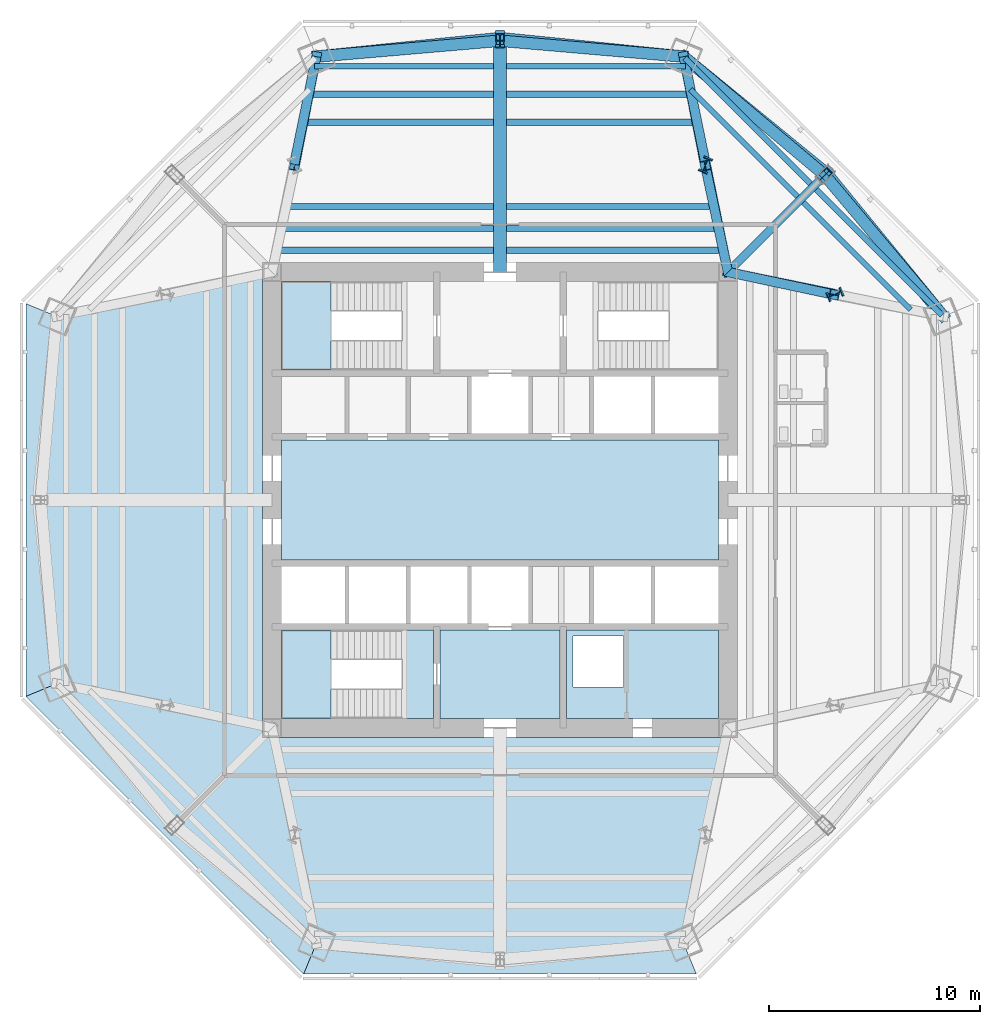
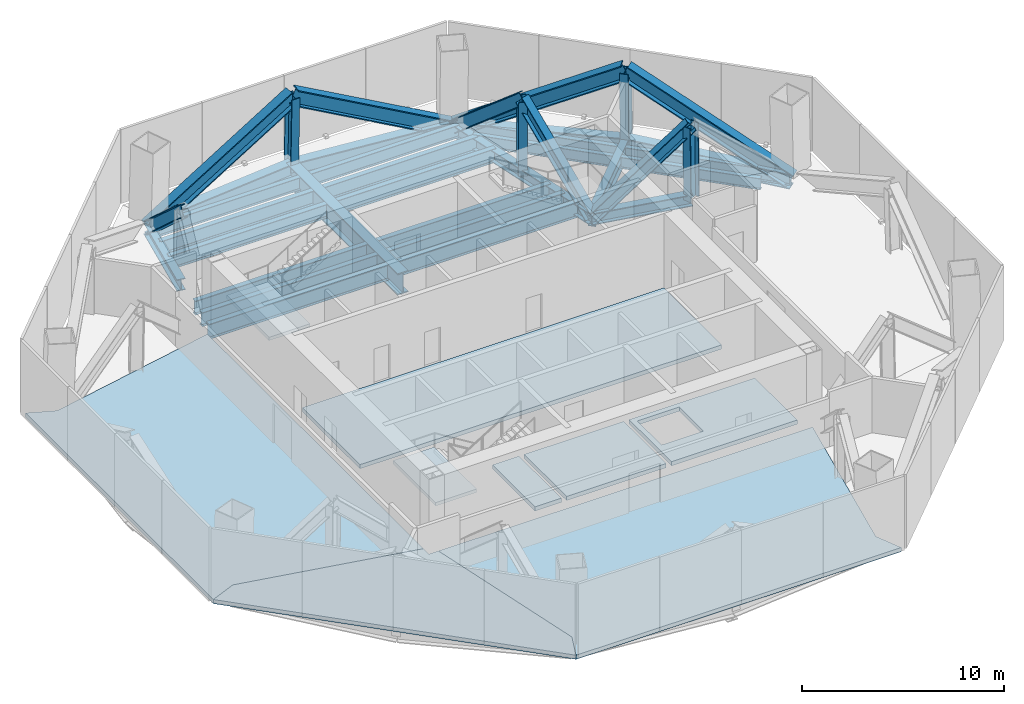
# One storey, part 3 of 9: 20 members, 18 beams, 9 slabs, 2 elements without a shape of their own.
"""IFC4 building model written with IfcOpenShell, lengths in metres."""

from ifc_helpers import new_model, si_unit, direction, frame, origin, origin_2d, place, context, subcontext, project, spatial, polyline, i_section, outline, extrude, source, transform, mapped, material, layer, layer_set, material_profile, profile_set, type_object, type_shapes, element, aggregate, save


model = new_model("IFC4")

# Units and contexts
model_context = context("Model", 3, precision=1e-05, world=origin(), true_north=direction((0.0, 1.0)))
body_context = subcontext(model_context, "Body", "Model", "MODEL_VIEW")
ifc_project = project(units=[si_unit("LENGTHUNIT", "METRE"), si_unit("AREAUNIT", "SQUARE_METRE"), si_unit("VOLUMEUNIT", "CUBIC_METRE"), si_unit("PLANEANGLEUNIT", "RADIAN"), si_unit("MASSUNIT", "GRAM", prefix="KILO")], contexts=[model_context])

# Site, building, storey
site_placement = place(None, origin())
site = spatial("IfcSite", under=ifc_project, at=site_placement, CompositionType="ELEMENT")
building_placement = place(site_placement, origin())
building = spatial("IfcBuilding", under=site, at=building_placement, Name="Mashrafa Tower", CompositionType="ELEMENT")
storey_placement = place(building_placement, frame((0.0, 0.0, 189.0)))
storey = spatial("IfcBuildingStorey", under=building, at=storey_placement, Name="L43", CompositionType="ELEMENT", Elevation=189.0)

# Beams
ifc_material_1 = material(Name="Steel ASTM A572 Gr 50", Category="steel")
ifc_material_profile_1 = material_profile(ifc_material_1, i_section(OverallWidth=0.60009765625, OverallDepth=1.300048828125, WebThickness=0.028076171875, FlangeThickness=0.06494140625, at=origin_2d()), Name="H1300X600X28X65")
ifc_profile_set_1 = profile_set([ifc_material_profile_1], Name="Steel ASTM A572 Gr 50")
beam_type_1 = type_object("IfcBeamType", Name="Beam H1300X600X28X65", PredefinedType="BEAM", material=ifc_profile_set_1)
beam_1_placement = place(storey_placement, frame((0.0, 10.800048828125, -0.89990234375), z_axis=(0.0, 1.0, 0.0), x_axis=(-1.0, 0.0, 0.0)))
element("IfcBeam", 1, at=beam_1_placement, inside=storey, type_object=beam_type_1, Name="Radial girder L43 069", PredefinedType="BEAM", context=body_context, shape_type="SweptSolid", body=[
    extrude(i_section(OverallWidth=0.60009765625, OverallDepth=1.300048828125, WebThickness=0.028076171875, FlangeThickness=0.06494140625, at=origin_2d()), origin(), (0.0, 0.0, 1.0), 11.0751953125),
])
ifc_material_2 = material(Name="Steel ASTM A992", Category="steel")
ifc_material_profile_2 = material_profile(ifc_material_2, i_section(OverallWidth=0.25390625, OverallDepth=0.683349609375, WebThickness=0.012451171875, FlangeThickness=0.01904296875, FilletRadius=0.01513671875, at=origin_2d()), Name="W27X94")
ifc_profile_set_2 = profile_set([ifc_material_profile_2], Name="Steel ASTM A992")
beam_type_2 = type_object("IfcBeamType", Name="Beam W27X94", PredefinedType="BEAM", material=ifc_profile_set_2)
for number, where, z_axis, x_axis, name in (
    (2, (9.013916015625, 19.461181640625, -0.591552734375), (0.707106781187, -0.707106781187, 0.0), (0.707106781187, 0.707106781187, 0.0), "Floor beam L43 041"),
    (3, (14.37939453125, 14.095703125, -0.591552734375), (0.707106781187, -0.707106781187, 0.0), (0.707106781187, 0.707106781187, 0.0), "Floor beam L43 054"),
):
    element("IfcBeam", number, at=place(storey_placement, frame(where, z_axis=z_axis, x_axis=x_axis)), inside=storey, type_object=beam_type_2, Name=name, PredefinedType="BEAM", context=body_context, shape_type="SweptSolid", body=[
        extrude(i_section(OverallWidth=0.25390625, OverallDepth=0.683349609375, WebThickness=0.012451171875, FlangeThickness=0.01904296875, FilletRadius=0.01513671875, at=origin_2d()), origin(), (0.0, 0.0, 1.0), 7.186767578125),
    ])
ifc_material_3 = material(Name="Steel ASTM A992", Category="steel")
ifc_material_profile_3 = material_profile(ifc_material_3, i_section(OverallWidth=0.2666015625, OverallDepth=0.761962890625, WebThickness=0.014404296875, FlangeThickness=0.021484375, FilletRadius=0.0166015625, at=origin_2d()), Name="W30X116")
ifc_profile_set_3 = profile_set([ifc_material_profile_3], Name="Steel ASTM A992")
beam_type_3 = type_object("IfcBeamType", Name="Beam W30X116", PredefinedType="BEAM", material=ifc_profile_set_3)
for number, where, z_axis, x_axis, name in (
    (4, (-8.78955078125, 20.5498046875, -0.631103515625), (1.0, 0.0, 0.0), (0.0, 1.0, 0.0), "Floor beam L43 025"),
    (5, (0.300048828125, 20.5498046875, -0.631103515625), (1.0, 0.0, 0.0), (0.0, 1.0, 0.0), "Floor beam L43 038"),
):
    element("IfcBeam", number, at=place(storey_placement, frame(where, z_axis=z_axis, x_axis=x_axis)), inside=storey, type_object=beam_type_3, Name=name, PredefinedType="BEAM", context=body_context, shape_type="SweptSolid", body=[
        extrude(i_section(OverallWidth=0.2666015625, OverallDepth=0.761962890625, WebThickness=0.014404296875, FlangeThickness=0.021484375, FilletRadius=0.0166015625, at=origin_2d()), origin(), (0.0, 0.0, 1.0), 8.489501953125),
    ])
for number, where, z_axis, x_axis, name in (
    (6, (8.759521484375, 20.9462890625, -0.631103515625), (0.707092277771, -0.707121284305, 0.0), (0.707121284305, 0.707092277771, 0.0), "Floor beam L43 039"),
    (7, (14.99462890625, 14.7109375, -0.631103515625), (0.707121284305, -0.707092277771, 0.0), (0.707092277771, 0.707121284305, 0.0), "Floor beam L43 056"),
):
    element("IfcBeam", number, at=place(storey_placement, frame(where, z_axis=z_axis, x_axis=x_axis)), inside=storey, type_object=beam_type_3, Name=name, PredefinedType="BEAM", context=body_context, shape_type="SweptSolid", body=[
        extrude(i_section(OverallWidth=0.2666015625, OverallDepth=0.761962890625, WebThickness=0.014404296875, FlangeThickness=0.021484375, FilletRadius=0.0166015625, at=origin_2d()), origin(), (0.0, 0.0, 1.0), 8.416748046875),
    ])
ifc_material_4 = material(Name="Steel ASTM A992", Category="steel")
ifc_material_profile_4 = material_profile(ifc_material_4, i_section(OverallWidth=0.2919921875, OverallDepth=0.8408203125, WebThickness=0.0146484375, FlangeThickness=0.021728515625, FilletRadius=0.017333984375, at=origin_2d()), Name="W33X130")
ifc_profile_set_4 = profile_set([ifc_material_profile_4], Name="Steel ASTM A992")
beam_type_4 = type_object("IfcBeamType", Name="Beam W33X130", PredefinedType="BEAM", material=ifc_profile_set_4)
beam_2_placement = place(storey_placement, frame((-9.336181640625, 17.89892578125, -0.67041015625), z_axis=(1.0, 0.0, 0.0), x_axis=(0.0, 1.0, 0.0)))
element("IfcBeam", 8, at=beam_2_placement, inside=storey, type_object=beam_type_4, Name="Floor beam L43 022", PredefinedType="BEAM", context=body_context, shape_type="SweptSolid", body=[
    extrude(i_section(OverallWidth=0.2919921875, OverallDepth=0.8408203125, WebThickness=0.0146484375, FlangeThickness=0.021728515625, FilletRadius=0.017333984375, at=origin_2d()), origin(), (0.0, 0.0, 1.0), 9.0361328125),
])
beam_3_placement = place(storey_placement, frame((-9.062744140625, 19.224365234375, -0.67041015625), z_axis=(1.0, 0.0, 0.0), x_axis=(0.0, 1.0, 0.0)))
element("IfcBeam", 9, at=beam_3_placement, inside=storey, type_object=beam_type_4, Name="Floor beam L43 023", PredefinedType="BEAM", context=body_context, shape_type="SweptSolid", body=[
    extrude(i_section(OverallWidth=0.2919921875, OverallDepth=0.8408203125, WebThickness=0.0146484375, FlangeThickness=0.021728515625, FilletRadius=0.017333984375, at=origin_2d()), origin(), (0.0, 0.0, 1.0), 8.7626953125),
])
beam_4_placement = place(storey_placement, frame((0.300048828125, 17.89892578125, -0.67041015625), z_axis=(1.0, 0.0, 0.0), x_axis=(0.0, 1.0, 0.0)))
element("IfcBeam", 10, at=beam_4_placement, inside=storey, type_object=beam_type_4, Name="Floor beam L43 036", PredefinedType="BEAM", context=body_context, shape_type="SweptSolid", body=[
    extrude(i_section(OverallWidth=0.2919921875, OverallDepth=0.8408203125, WebThickness=0.0146484375, FlangeThickness=0.021728515625, FilletRadius=0.017333984375, at=origin_2d()), origin(), (0.0, 0.0, 1.0), 9.0361328125),
])
beam_5_placement = place(storey_placement, frame((0.300048828125, 19.224365234375, -0.67041015625), z_axis=(1.0, 0.0, 0.0), x_axis=(0.0, 1.0, 0.0)))
element("IfcBeam", 11, at=beam_5_placement, inside=storey, type_object=beam_type_4, Name="Floor beam L43 037", PredefinedType="BEAM", context=body_context, shape_type="SweptSolid", body=[
    extrude(i_section(OverallWidth=0.2919921875, OverallDepth=0.8408203125, WebThickness=0.0146484375, FlangeThickness=0.021728515625, FilletRadius=0.017333984375, at=origin_2d()), origin(), (0.0, 0.0, 1.0), 8.7626953125),
])
ifc_material_5 = material(Name="Steel ASTM A992", Category="steel")
ifc_material_profile_5 = material_profile(ifc_material_5, i_section(OverallWidth=0.2919921875, OverallDepth=0.845703125, WebThickness=0.015380859375, FlangeThickness=0.0244140625, FilletRadius=0.017333984375, at=origin_2d()), Name="W33X141")
ifc_profile_set_5 = profile_set([ifc_material_profile_5], Name="Steel ASTM A992")
beam_type_5 = type_object("IfcBeamType", Name="Beam W33X141", PredefinedType="BEAM", material=ifc_profile_set_5)
beam_6_placement = place(storey_placement, frame((-10.3740234375, 12.865966796875, -0.6728515625), z_axis=(1.0, 0.0, 0.0), x_axis=(0.0, 1.0, 0.0)))
element("IfcBeam", 12, at=beam_6_placement, inside=storey, type_object=beam_type_5, Name="Floor beam L43 020", PredefinedType="BEAM", context=body_context, shape_type="SweptSolid", body=[
    extrude(i_section(OverallWidth=0.2919921875, OverallDepth=0.845703125, WebThickness=0.015380859375, FlangeThickness=0.0244140625, FilletRadius=0.017333984375, at=origin_2d()), origin(), (0.0, 0.0, 1.0), 10.073974609375),
])
beam_7_placement = place(storey_placement, frame((-10.160888671875, 13.89892578125, -0.6728515625), z_axis=(1.0, 0.0, 0.0), x_axis=(0.0, 1.0, 0.0)))
element("IfcBeam", 13, at=beam_7_placement, inside=storey, type_object=beam_type_5, Name="Floor beam L43 021", PredefinedType="BEAM", context=body_context, shape_type="SweptSolid", body=[
    extrude(i_section(OverallWidth=0.2919921875, OverallDepth=0.845703125, WebThickness=0.015380859375, FlangeThickness=0.0244140625, FilletRadius=0.017333984375, at=origin_2d()), origin(), (0.0, 0.0, 1.0), 9.86083984375),
])
beam_8_placement = place(storey_placement, frame((0.300048828125, 12.865966796875, -0.6728515625), z_axis=(1.0, 0.0, 0.0), x_axis=(0.0, 1.0, 0.0)))
element("IfcBeam", 14, at=beam_8_placement, inside=storey, type_object=beam_type_5, Name="Floor beam L43 034", PredefinedType="BEAM", context=body_context, shape_type="SweptSolid", body=[
    extrude(i_section(OverallWidth=0.2919921875, OverallDepth=0.845703125, WebThickness=0.015380859375, FlangeThickness=0.0244140625, FilletRadius=0.017333984375, at=origin_2d()), origin(), (0.0, 0.0, 1.0), 10.073974609375),
])
beam_9_placement = place(storey_placement, frame((0.300048828125, 13.89892578125, -0.6728515625), z_axis=(1.0, 0.0, 0.0), x_axis=(0.0, 1.0, 0.0)))
element("IfcBeam", 15, at=beam_9_placement, inside=storey, type_object=beam_type_5, Name="Floor beam L43 035", PredefinedType="BEAM", context=body_context, shape_type="SweptSolid", body=[
    extrude(i_section(OverallWidth=0.2919921875, OverallDepth=0.845703125, WebThickness=0.015380859375, FlangeThickness=0.0244140625, FilletRadius=0.017333984375, at=origin_2d()), origin(), (0.0, 0.0, 1.0), 9.86083984375),
])
ifc_material_6 = material(Name="Steel ASTM A992", Category="steel")
ifc_material_profile_6 = material_profile(ifc_material_6, i_section(OverallWidth=0.3046875, OverallDepth=0.911865234375, WebThickness=0.015869140625, FlangeThickness=0.02392578125, FilletRadius=0.01904296875, at=origin_2d()), Name="W36X150")
ifc_profile_set_6 = profile_set([ifc_material_profile_6], Name="Steel ASTM A992")
beam_type_6 = type_object("IfcBeamType", Name="Beam W36X150", PredefinedType="BEAM", material=ifc_profile_set_6)
for number, where, z_axis, x_axis, name in (
    (16, (-10.5869140625, 11.8330078125, -0.705810546875), (1.0, 0.0, 0.0), (0.0, 1.0, 0.0), "Floor beam L43 019"),
    (17, (0.300048828125, 11.8330078125, -0.705810546875), (1.0, 0.0, 0.0), (0.0, 1.0, 0.0), "Floor beam L43 033"),
):
    element("IfcBeam", number, at=place(storey_placement, frame(where, z_axis=z_axis, x_axis=x_axis)), inside=storey, type_object=beam_type_6, Name=name, PredefinedType="BEAM", context=body_context, shape_type="SweptSolid", body=[
        extrude(i_section(OverallWidth=0.3046875, OverallDepth=0.911865234375, WebThickness=0.015869140625, FlangeThickness=0.02392578125, FilletRadius=0.01904296875, at=origin_2d()), origin(), (0.0, 0.0, 1.0), 10.286865234375),
    ])
ifc_material_7 = material(Name="Steel ASTM A992", Category="steel")
ifc_material_profile_7 = material_profile(ifc_material_7, i_section(OverallWidth=0.4013671875, OverallDepth=1.010986328125, WebThickness=0.023681640625, FlangeThickness=0.0419921875, FilletRadius=0.02001953125, at=origin_2d()), Name="W40X297")
ifc_profile_set_7 = profile_set([ifc_material_profile_7], Name="Steel ASTM A992")
beam_type_7 = type_object("IfcBeamType", Name="Beam W40X297", PredefinedType="BEAM", material=ifc_profile_set_7)
beam_10_placement = place(storey_placement, frame((10.800048828125, 10.800048828125, -0.75537109375), z_axis=(0.707106781187, 0.707106781187, 0.0), x_axis=(-0.707106781187, 0.707106781187, 0.0)))
element("IfcBeam", 18, at=beam_10_placement, inside=storey, type_object=beam_type_7, Name="Radial girder L43 072", PredefinedType="BEAM", context=body_context, shape_type="SweptSolid", body=[
    extrude(i_section(OverallWidth=0.4013671875, OverallDepth=1.010986328125, WebThickness=0.023681640625, FlangeThickness=0.0419921875, FilletRadius=0.02001953125, at=origin_2d()), origin(), (0.0, 0.0, 1.0), 6.6015625),
])

# Members
ifc_material_8 = material(Name="Steel ASTM A572 Gr 50", Category="steel")
ifc_material_profile_8 = material_profile(ifc_material_8, i_section(OverallWidth=0.449951171875, OverallDepth=0.699951171875, WebThickness=0.028076171875, FlangeThickness=0.044921875, at=origin_2d()), Name="H700X450X28X45")
ifc_profile_set_8 = profile_set([ifc_material_profile_8], Name="Steel ASTM A572 Gr 50")
member_type_1 = type_object("IfcMemberType", Name="Outrigger post H700X450X28X45", PredefinedType="POST", material=ifc_profile_set_8)
shared_shape_1 = source(origin(), body_context, "Body", "SweptSolid", [
    extrude(i_section(OverallWidth=0.449951171875, OverallDepth=0.699951171875, WebThickness=0.028076171875, FlangeThickness=0.044921875, at=origin_2d()), origin(), (0.0, 0.0, 1.0), 4.50048828125),
])
type_shapes(member_type_1, [shared_shape_1])
for number, where, z_axis, x_axis, name in (
    (19, (15.90478515625, 9.751220703125, -0.699951171875), (-0.01410425755, -0.005858691598, 0.999883366024), (0.383606328283, -0.923496716237, 0.0), "Outrigger post MC1 L43"),
    (20, (9.751220703125, 15.90478515625, -0.699951171875), (-0.005858691598, -0.01410425755, 0.999883366024), (0.923496716237, -0.383606328283, 0.0), "Outrigger post MC2 L43"),
):
    element("IfcMember", number, at=place(storey_placement, frame(where, z_axis=z_axis, x_axis=x_axis)), inside=storey, type_object=member_type_1, Name=name, PredefinedType="POST", context=body_context, shape_type="MappedRepresentation", body=[
        mapped(shared_shape_1, transform((0.0, 0.0, 0.0))),
    ])
ifc_material_9 = material(Name="Steel ASTM A572 Gr 50", Category="steel")
ifc_material_profile_9 = material_profile(ifc_material_9, i_section(OverallWidth=0.550048828125, OverallDepth=0.89990234375, WebThickness=0.034912109375, FlangeThickness=0.06005859375, at=origin_2d()), Name="H900X550X35X60")
ifc_profile_set_9 = profile_set([ifc_material_profile_9], Name="Steel ASTM A572 Gr 50")
member_type_2 = type_object("IfcMemberType", Name="Belt truss chord H900X550X35X60", PredefinedType="CHORD", material=ifc_profile_set_9)
shared_shape_2 = source(origin(), body_context, "Body", "SweptSolid", [
    extrude(i_section(OverallWidth=0.550048828125, OverallDepth=0.89990234375, WebThickness=0.034912109375, FlangeThickness=0.06005859375, at=origin_2d()), origin(), (0.0, 0.0, 1.0), 8.746826171875),
])
for number, where, z_axis, x_axis, name in (
    (21, (8.70263671875, 21.009765625, -0.699951171875), (-0.994947248214, 0.100399070073, 0.0), (-0.100399070073, -0.994947248214, 0.0), "Belt truss bottom chord north face L43 right"),
    (22, (-8.70263671875, 21.009765625, -0.699951171875), (0.994947248214, 0.100399070073, 0.0), (-0.100399070073, 0.994947248214, 0.0), "Belt truss bottom chord north face L43 left"),
):
    element("IfcMember", number, at=place(storey_placement, frame(where, z_axis=z_axis, x_axis=x_axis)), inside=storey, type_object=member_type_2, Name=name, PredefinedType="CHORD", context=body_context, shape_type="MappedRepresentation", body=[
        mapped(shared_shape_2, transform((0.0, 0.0, 0.0))),
    ])
ifc_material_10 = material(Name="Steel ASTM A572 Gr 50", Category="steel")
ifc_material_profile_10 = material_profile(ifc_material_10, i_section(OverallWidth=0.449951171875, OverallDepth=0.699951171875, WebThickness=0.028076171875, FlangeThickness=0.044921875, at=origin_2d()), Name="H700X450X28X45")
ifc_profile_set_10 = profile_set([ifc_material_profile_10], Name="Steel ASTM A572 Gr 50")
member_type_3 = type_object("IfcMemberType", Name="Belt truss post H700X450X28X45", PredefinedType="POST", material=ifc_profile_set_10)
shared_shape_3 = source(origin(), body_context, "Body", "SweptSolid", [
    extrude(i_section(OverallWidth=0.449951171875, OverallDepth=0.699951171875, WebThickness=0.028076171875, FlangeThickness=0.044921875, at=origin_2d()), origin(), (0.0, 0.0, 1.0), 4.501708984375),
])
type_shapes(member_type_3, [shared_shape_3])
for number, where, z_axis, x_axis, name in (
    (23, (15.47705078125, 15.47705078125, -0.699951171875), (-0.019957324127, -0.019957324127, 0.999601625863), (0.707106781187, -0.707106781187, 0.0), "Belt truss post north-east face L43"),
    (24, (0.0, 21.887939453125, -0.699951171875), (0.0, -0.028254773922, 0.999600754177), (1.0, 0.0, 0.0), "Belt truss post north face L43"),
):
    element("IfcMember", number, at=place(storey_placement, frame(where, z_axis=z_axis, x_axis=x_axis)), inside=storey, type_object=member_type_3, Name=name, PredefinedType="POST", context=body_context, shape_type="MappedRepresentation", body=[
        mapped(shared_shape_3, transform((0.0, 0.0, 0.0))),
    ])
ifc_material_11 = material(Name="Steel ASTM A572 Gr 50", Category="steel")
ifc_material_profile_11 = material_profile(ifc_material_11, i_section(OverallWidth=0.550048828125, OverallDepth=0.89990234375, WebThickness=0.034912109375, FlangeThickness=0.06005859375, at=origin_2d()), Name="H900X550X35X60")
ifc_profile_set_11 = profile_set([ifc_material_profile_11], Name="Steel ASTM A572 Gr 50")
member_type_4 = type_object("IfcMemberType", Name="Belt truss diagonal H900X550X35X60", PredefinedType="BRACE", material=ifc_profile_set_11)
shared_shape_4 = source(origin(), body_context, "Body", "SweptSolid", [
    extrude(i_section(OverallWidth=0.550048828125, OverallDepth=0.89990234375, WebThickness=0.034912109375, FlangeThickness=0.06005859375, at=origin_2d()), origin(), (0.0, 0.0, 1.0), 9.825927734375),
])
type_shapes(member_type_4, [shared_shape_4])
for number, where, z_axis, x_axis, name in (
    (25, (21.009765625, 8.70263671875, -0.699951171875), (-0.572223113145, 0.680306940422, 0.457977265371), (-0.765280723538, -0.64369667871, 0.0), "Belt truss diagonal north-east face L43 right"),
    (26, (8.70263671875, 21.009765625, -0.699951171875), (0.680306940422, -0.572223113145, 0.457977265371), (0.64369667871, 0.765280723538, 0.0), "Belt truss diagonal north-east face L43 left"),
    (27, (8.70263671875, 21.009765625, -0.699951171875), (-0.88567635285, 0.076427662609, 0.457969660993), (-0.085973485954, -0.996297425327, 0.0), "Belt truss diagonal north face L43 right"),
    (28, (-8.70263671875, 21.009765625, -0.699951171875), (0.88567635285, 0.076427662609, 0.457969660993), (-0.085973485954, 0.996297425327, 0.0), "Belt truss diagonal north face L43 left"),
):
    element("IfcMember", number, at=place(storey_placement, frame(where, z_axis=z_axis, x_axis=x_axis)), inside=storey, type_object=member_type_4, Name=name, PredefinedType="BRACE", context=body_context, shape_type="MappedRepresentation", body=[
        mapped(shared_shape_4, transform((0.0, 0.0, 0.0))),
    ])
shared_shape_5 = source(origin(), body_context, "Body", "SweptSolid", [
    extrude(i_section(OverallWidth=0.550048828125, OverallDepth=0.89990234375, WebThickness=0.034912109375, FlangeThickness=0.06005859375, at=origin_2d()), origin(), (0.0, 0.0, 1.0), 8.74658203125),
])
type_shapes(member_type_2, [shared_shape_2, shared_shape_5])
for number, where, z_axis, x_axis, name in (
    (29, (21.009765625, 8.70263671875, -0.699951171875), (-0.632553548024, 0.774516629184, 0.0), (-0.774516629184, -0.632553548024, 0.0), "Belt truss bottom chord north-east face L43 right"),
    (30, (8.70263671875, 21.009765625, -0.699951171875), (0.774516629184, -0.632553548024, 0.0), (0.632553548024, 0.774516629184, 0.0), "Belt truss bottom chord north-east face L43 left"),
):
    element("IfcMember", number, at=place(storey_placement, frame(where, z_axis=z_axis, x_axis=x_axis)), inside=storey, type_object=member_type_2, Name=name, PredefinedType="CHORD", context=body_context, shape_type="MappedRepresentation", body=[
        mapped(shared_shape_5, transform((0.0, 0.0, 0.0))),
    ])
ifc_material_12 = material(Name="Steel ASTM A572 Gr 50", Category="steel")
ifc_material_profile_12 = material_profile(ifc_material_12, i_section(OverallWidth=0.449951171875, OverallDepth=0.699951171875, WebThickness=0.028076171875, FlangeThickness=0.044921875, at=origin_2d()), Name="H700X450X28X45")
ifc_profile_set_12 = profile_set([ifc_material_profile_12], Name="Steel ASTM A572 Gr 50")
member_type_5 = type_object("IfcMemberType", Name="Outrigger chord H700X450X28X45", PredefinedType="CHORD", material=ifc_profile_set_12)
shared_shape_6 = source(origin(), body_context, "Body", "SweptSolid", [
    extrude(i_section(OverallWidth=0.449951171875, OverallDepth=0.699951171875, WebThickness=0.028076171875, FlangeThickness=0.044921875, at=origin_2d()), origin(), (0.0, 0.0, 1.0), 5.21142578125),
])
for number, where, z_axis, x_axis, name in (
    (31, (10.800048828125, 10.800048828125, -0.699951171875), (0.979538334646, -0.201257673042, 0.0), (0.201257673042, 0.979538334646, 0.0), "Outrigger bottom chord MC1 L43 core end"),
    (32, (10.800048828125, 10.800048828125, -0.699951171875), (-0.201257673042, 0.979538334646, 0.0), (-0.979538334646, -0.201257673042, 0.0), "Outrigger bottom chord MC2 L43 core end"),
):
    element("IfcMember", number, at=place(storey_placement, frame(where, z_axis=z_axis, x_axis=x_axis)), inside=storey, type_object=member_type_5, Name=name, PredefinedType="CHORD", context=body_context, shape_type="MappedRepresentation", body=[
        mapped(shared_shape_6, transform((0.0, 0.0, 0.0))),
    ])
shared_shape_7 = source(origin(), body_context, "Body", "SweptSolid", [
    extrude(i_section(OverallWidth=0.449951171875, OverallDepth=0.699951171875, WebThickness=0.028076171875, FlangeThickness=0.044921875, at=origin_2d()), origin(), (0.0, 0.0, 1.0), 5.211669921875),
])
type_shapes(member_type_5, [shared_shape_6, shared_shape_7])
for number, where, z_axis, x_axis, name in (
    (33, (9.751220703125, 15.90478515625, -0.699951171875), (-0.201203489035, 0.979549465826, 0.0), (-0.979549465826, -0.201203489035, 0.0), "Outrigger bottom chord MC2 L43 column end"),
    (34, (-9.751220703125, 15.90478515625, -0.699951171875), (0.201203489035, 0.979549465826, 0.0), (-0.979549465826, 0.201203489035, 0.0), "Outrigger bottom chord MC3 L43 column end"),
):
    element("IfcMember", number, at=place(storey_placement, frame(where, z_axis=z_axis, x_axis=x_axis)), inside=storey, type_object=member_type_5, Name=name, PredefinedType="CHORD", context=body_context, shape_type="MappedRepresentation", body=[
        mapped(shared_shape_7, transform((0.0, 0.0, 0.0))),
    ])
ifc_material_13 = material(Name="Steel ASTM A572 Gr 50", Category="steel")
ifc_material_profile_13 = material_profile(ifc_material_13, i_section(OverallWidth=0.449951171875, OverallDepth=0.699951171875, WebThickness=0.028076171875, FlangeThickness=0.044921875, at=origin_2d()), Name="H700X450X28X45")
ifc_profile_set_13 = profile_set([ifc_material_profile_13], Name="Steel ASTM A572 Gr 50")
member_type_6 = type_object("IfcMemberType", Name="Outrigger diagonal H700X450X28X45", PredefinedType="BRACE", material=ifc_profile_set_13)
shared_shape_8 = source(origin(), body_context, "Body", "SweptSolid", [
    extrude(i_section(OverallWidth=0.449951171875, OverallDepth=0.699951171875, WebThickness=0.028076171875, FlangeThickness=0.044921875, at=origin_2d()), origin(), (0.0, 0.0, 1.0), 6.842529296875),
])
for number, where, z_axis, x_axis, name in (
    (35, (10.800048828125, 10.800048828125, -0.699951171875), (0.736752760266, -0.157133960783, 0.65765058246), (0.208587733784, 0.978003659152, 0.0), "Outrigger diagonal MC1 L43 core end"),
    (36, (10.800048828125, 10.800048828125, -0.699951171875), (-0.157133960783, 0.736752760266, 0.65765058246), (-0.978003659152, -0.208587733784, 0.0), "Outrigger diagonal MC2 L43 core end"),
):
    element("IfcMember", number, at=place(storey_placement, frame(where, z_axis=z_axis, x_axis=x_axis)), inside=storey, type_object=member_type_6, Name=name, PredefinedType="BRACE", context=body_context, shape_type="MappedRepresentation", body=[
        mapped(shared_shape_8, transform((0.0, 0.0, 0.0))),
    ])
shared_shape_9 = source(origin(), body_context, "Body", "SweptSolid", [
    extrude(i_section(OverallWidth=0.449951171875, OverallDepth=0.699951171875, WebThickness=0.028076171875, FlangeThickness=0.044921875, at=origin_2d()), origin(), (0.0, 0.0, 1.0), 6.9287109375),
])
type_shapes(member_type_6, [shared_shape_8, shared_shape_9])
for number, where, z_axis, x_axis, name in (
    (37, (8.70263671875, 21.009765625, -0.699951171875), (0.147532183553, -0.745941324533, 0.64946577675), (0.980997273038, 0.19402152018, 0.0), "Outrigger diagonal MC2 L43 column end"),
    (38, (-8.70263671875, 21.009765625, -0.699951171875), (-0.147532183553, -0.745941324533, 0.64946577675), (0.980997273038, -0.19402152018, 0.0), "Outrigger diagonal MC3 L43 column end"),
):
    element("IfcMember", number, at=place(storey_placement, frame(where, z_axis=z_axis, x_axis=x_axis)), inside=storey, type_object=member_type_6, Name=name, PredefinedType="BRACE", context=body_context, shape_type="MappedRepresentation", body=[
        mapped(shared_shape_9, transform((0.0, 0.0, 0.0))),
    ])

# Slabs
ifc_material_14 = material(Name="Concrete C35/45", Category="concrete")
ifc_layer_1 = layer(ifc_material_14, 0.25)
ifc_layer_set_1 = layer_set([ifc_layer_1], Name="Floor slab 250")
slab_type_1 = type_object("IfcSlabType", Name="Floor slab 250", PredefinedType="FLOOR", material=ifc_layer_set_1)
slab_1_placement = place(storey_placement, frame((0.0, 0.0, -0.25)))
element("IfcSlab", 39, at=slab_1_placement, inside=storey, type_object=slab_type_1, Name="Floor slab L43 west bay", PredefinedType="FLOOR", context=body_context, shape_type="SweptSolid", body=[
    extrude(outline(polyline([(-22.46826171875, -9.306640625), (-22.46826171875, 9.306640625), (-22.468017578125, 9.306640625), (-20.9970703125, 8.697265625), (-11.25, 10.707275390625), (-11.25, -10.707275390625), (-20.9970703125, -8.697265625), (-22.468017578125, -9.306640625), (-22.46826171875, -9.306640625)])), origin(), (0.0, 0.0, 1.0), 0.25),
])
slab_2_placement = place(storey_placement, frame((0.0, 0.0, -0.25)))
element("IfcSlab", 40, at=slab_2_placement, inside=storey, type_object=slab_type_1, Name="Floor slab L43 south-west bay", PredefinedType="FLOOR", context=body_context, shape_type="SweptSolid", body=[
    extrude(outline(polyline([(-22.468017578125, -9.306640625), (-20.9970703125, -8.697265625), (-11.25, -10.707275390625), (-11.25, -11.25), (-10.707275390625, -11.25), (-8.697265625, -20.9970703125), (-9.306640625, -22.468017578125), (-22.468017578125, -9.306640625)])), origin(), (0.0, 0.0, 1.0), 0.25),
])
slab_3_placement = place(storey_placement, frame((0.0, 0.0, -0.25)))
element("IfcSlab", 41, at=slab_3_placement, inside=storey, type_object=slab_type_1, Name="Floor slab L43 south bay", PredefinedType="FLOOR", context=body_context, shape_type="SweptSolid", body=[
    extrude(outline(polyline([(-9.306640625, -22.46826171875), (-9.306640625, -22.468017578125), (-8.697265625, -20.9970703125), (-10.707275390625, -11.25), (10.707275390625, -11.25), (8.697265625, -20.9970703125), (9.306640625, -22.468017578125), (9.306640625, -22.46826171875), (-9.306640625, -22.46826171875)])), origin(), (0.0, 0.0, 1.0), 0.25),
])
slab_4_placement = place(storey_placement, frame((0.0, 0.0, -0.25)))
element("IfcSlab", 42, at=slab_4_placement, inside=storey, type_object=slab_type_1, Name="Core floor lift hall L43", PredefinedType="FLOOR", context=body_context, shape_type="SweptSolid", body=[
    extrude(outline(polyline([(10.35009765625, 2.85009765625), (10.35009765625, -2.85009765625), (-10.35009765625, -2.85009765625), (-10.35009765625, 2.85009765625), (10.35009765625, 2.85009765625)])), origin(), (0.0, 0.0, 1.0), 0.25),
])
slab_5_placement = place(storey_placement, frame((0.0, 0.0, -0.25)))
element("IfcSlab", 43, at=slab_5_placement, inside=storey, type_object=slab_type_1, Name="Core floor riser and electrical band L43", PredefinedType="FLOOR", context=body_context, shape_type="SweptSolid", body=[
    extrude(outline(polyline([(10.35009765625, -6.14990234375), (10.35009765625, -10.35009765625), (3.14990234375, -10.35009765625), (3.14990234375, -6.14990234375), (10.35009765625, -6.14990234375)]), holes=[polyline([(3.449951171875, -8.85009765625), (5.85009765625, -8.85009765625), (5.85009765625, -6.449951171875), (3.449951171875, -6.449951171875), (3.449951171875, -8.85009765625)])]), origin(), (0.0, 0.0, 1.0), 0.25),
])
slab_6_placement = place(storey_placement, frame((0.0, 0.0, -0.25)))
element("IfcSlab", 44, at=slab_6_placement, inside=storey, type_object=slab_type_1, Name="Core floor fire-fighting lobby south L43", PredefinedType="FLOOR", context=body_context, shape_type="SweptSolid", body=[
    extrude(outline(polyline([(2.85009765625, -6.14990234375), (2.85009765625, -10.35009765625), (-2.85009765625, -10.35009765625), (-2.85009765625, -6.14990234375), (2.85009765625, -6.14990234375)])), origin(), (0.0, 0.0, 1.0), 0.25),
])

# Stair, slab
ifc_material_15 = material(Name="Exit stair 1400")
stair_type = type_object("IfcStairType", Name="Exit stair 1400", PredefinedType="HALF_TURN_STAIR", material=ifc_material_15)
stair_1_placement = place(storey_placement, origin())
stair_1 = element("IfcStair", 45, at=stair_1_placement, inside=storey, type_object=stair_type, Name="Stair S1 L43", PredefinedType="HALF_TURN_STAIR")
ifc_material_16 = material(Name="Concrete C32/40", Category="concrete")
ifc_layer_2 = layer(ifc_material_16, 0.199951171875)
ifc_layer_set_2 = layer_set([ifc_layer_2], Name="Stair landing 200")
slab_type_2 = type_object("IfcSlabType", Name="Stair landing 200", PredefinedType="LANDING", material=ifc_layer_set_2)
slab_7_placement = place(storey_placement, frame((0.0, 0.0, 2.050048828125)))
slab_7 = element("IfcSlab", 46, at=slab_7_placement, type_object=slab_type_2, Name="S1 landing 2", PredefinedType="LANDING", context=body_context, shape_type="SweptSolid", body=[
    extrude(outline(polyline([(-10.35009765625, 6.14990234375), (-8.0, 6.14990234375), (-8.0, 10.35009765625), (-10.35009765625, 10.35009765625), (-10.35009765625, 6.14990234375)])), origin(), (0.0, 0.0, 1.0), 0.199951171875),
])
aggregate(stair_1, [slab_7])

# Stair, slabs
stair_2_placement = place(storey_placement, origin())
stair_2 = element("IfcStair", 47, at=stair_2_placement, inside=storey, type_object=stair_type, Name="Stair S3 L43", PredefinedType="HALF_TURN_STAIR")
slab_8_placement = place(storey_placement, frame((0.0, 0.0, 2.050048828125)))
slab_8 = element("IfcSlab", 48, at=slab_8_placement, type_object=slab_type_2, Name="S3 landing 2", PredefinedType="LANDING", context=body_context, shape_type="SweptSolid", body=[
    extrude(outline(polyline([(-10.35009765625, -10.35009765625), (-8.0, -10.35009765625), (-8.0, -6.14990234375), (-10.35009765625, -6.14990234375), (-10.35009765625, -10.35009765625)])), origin(), (0.0, 0.0, 1.0), 0.199951171875),
])
ifc_material_17 = material(Name="Concrete C32/40", Category="concrete")
ifc_layer_3 = layer(ifc_material_17, 0.25)
ifc_layer_set_3 = layer_set([ifc_layer_3], Name="Stair landing 250")
slab_type_3 = type_object("IfcSlabType", Name="Stair landing 250", PredefinedType="LANDING", material=ifc_layer_set_3)
slab_9_placement = place(storey_placement, frame((0.0, 0.0, -0.25)))
slab_9 = element("IfcSlab", 49, at=slab_9_placement, type_object=slab_type_3, Name="S3 landing 1", PredefinedType="LANDING", context=body_context, shape_type="SweptSolid", body=[
    extrude(outline(polyline([(-4.659912109375, -10.35009765625), (-3.14990234375, -10.35009765625), (-3.14990234375, -6.14990234375), (-4.659912109375, -6.14990234375), (-4.659912109375, -10.35009765625)])), origin(), (0.0, 0.0, 1.0), 0.25),
])
aggregate(stair_2, [slab_9, slab_8])

save(model, "model.ifc")
